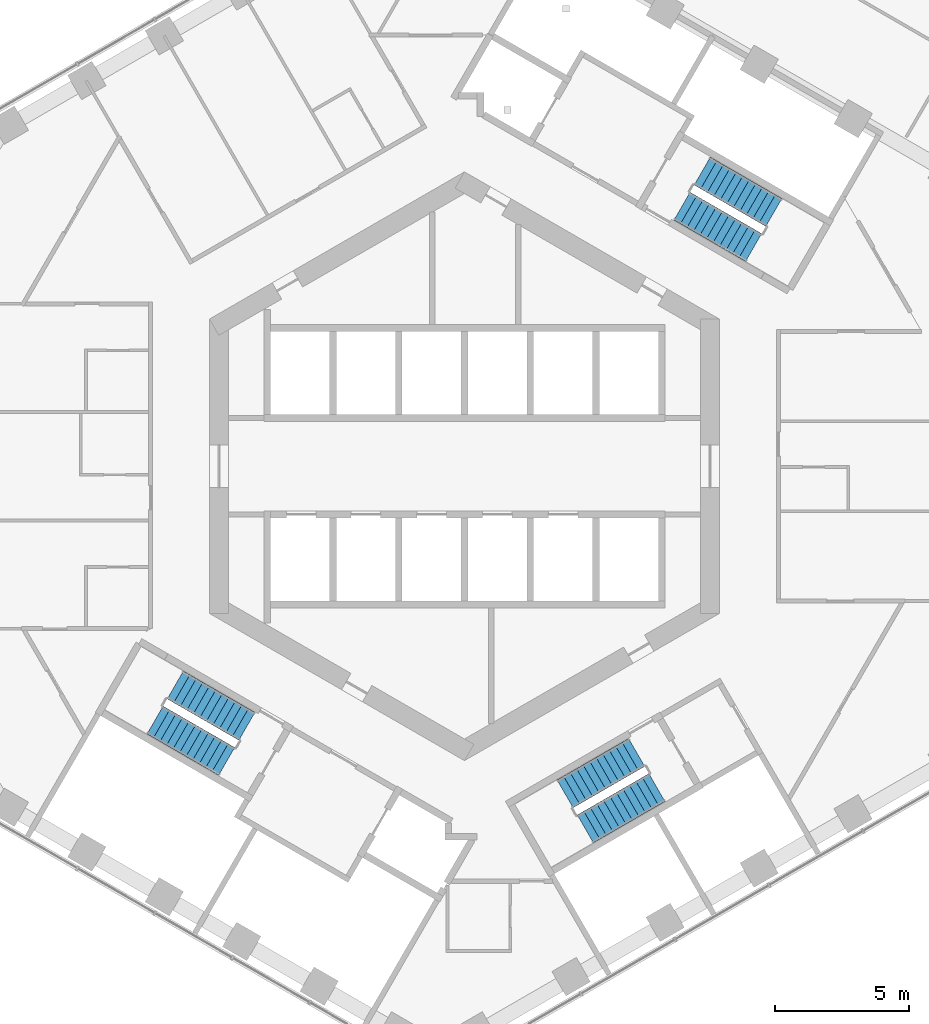
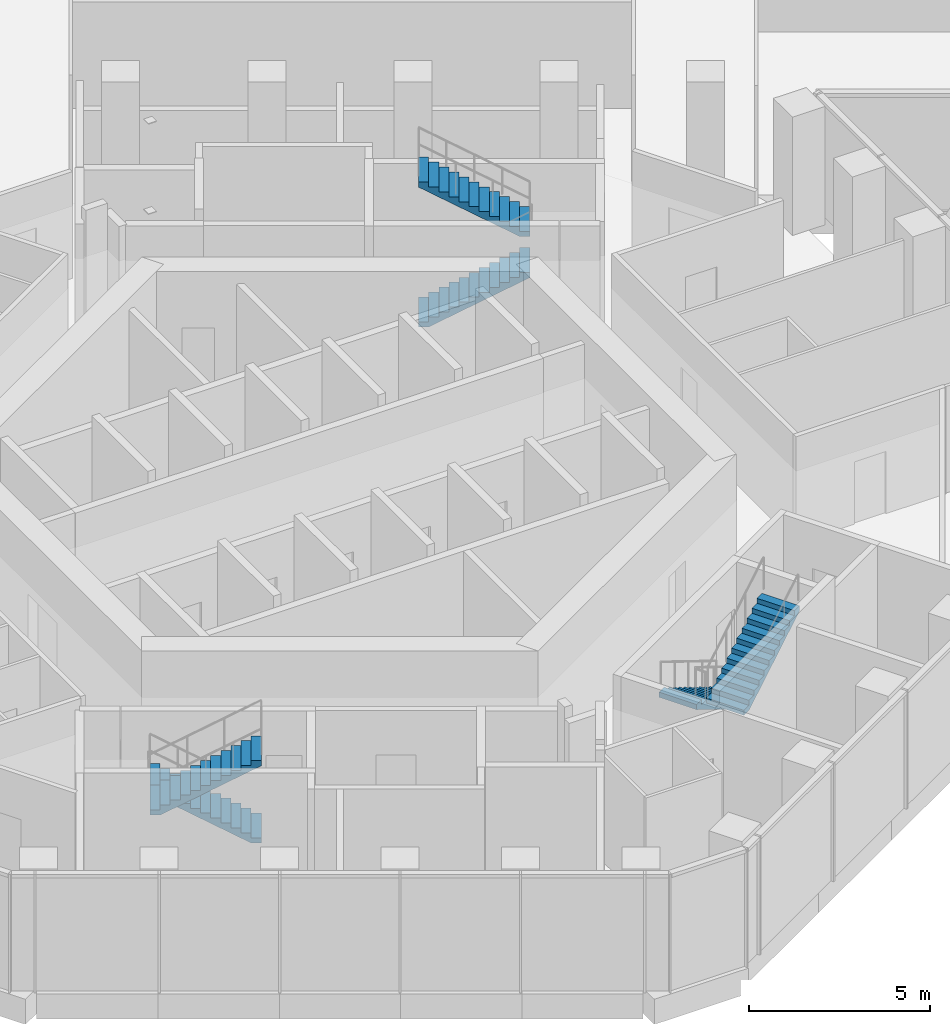
# One storey, part 23 of 25: 6 stair flights, 3 elements without a shape of their own.
"""IFC4 building model written with IfcOpenShell, lengths in metres."""

from ifc_helpers import new_model, si_unit, direction, frame, origin, place, context, subcontext, project, spatial, triangles, material, type_object, element, aggregate, save


model = new_model("IFC4")

# Units and contexts
model_context = context("Model", 3, precision=1e-05, world=origin(), true_north=direction((0.0, 1.0)))
body_context = subcontext(model_context, "Body", "Model", "MODEL_VIEW")
ifc_project = project(units=[si_unit("LENGTHUNIT", "METRE"), si_unit("AREAUNIT", "SQUARE_METRE"), si_unit("VOLUMEUNIT", "CUBIC_METRE"), si_unit("PLANEANGLEUNIT", "RADIAN"), si_unit("MASSUNIT", "GRAM", prefix="KILO")], contexts=[model_context])

# Site, building, storey
site_placement = place(None, origin())
site = spatial("IfcSite", under=ifc_project, at=site_placement, CompositionType="ELEMENT")
building_placement = place(site_placement, origin())
building = spatial("IfcBuilding", under=site, at=building_placement, Name="Ayvan Gate Tower", CompositionType="ELEMENT")
storey_placement = place(building_placement, frame((0.0, 0.0, 139.89990234375)))
storey = spatial("IfcBuildingStorey", under=building, at=storey_placement, Name="L37", CompositionType="ELEMENT", Elevation=139.89990234375)

# Stair, stair flights
ifc_material = material(Name="Concrete C40/50", Category="concrete")
stair_type = type_object("IfcStairType", Name="ST-EXIT", PredefinedType="HALF_TURN_STAIR", material=ifc_material)
stair_1_placement = place(storey_placement, origin())
stair_1 = element("IfcStair", 1, at=stair_1_placement, inside=storey, type_object=stair_type, Name="L37 Exit Stair S1", PredefinedType="HALF_TURN_STAIR")
stair_flight_type = type_object("IfcStairFlightType", Name="SFL-EXIT", PredefinedType="STRAIGHT", material=ifc_material)
stair_flight_1_placement = place(storey_placement, frame((8.106201171875, 9.690185546875, 0.0), z_axis=(0.0, 0.0, 1.0), x_axis=(0.866025403784, -0.5, 0.0)))
stair_flight_1 = element("IfcStairFlight", 2, at=stair_flight_1_placement, type_object=stair_flight_type, Name="STS1 flight 1", NumberOfRisers=12, NumberOfTreads=11, PredefinedType="STRAIGHT", RiserHeight=0.166666667, TreadLength=0.28, context=body_context, shape_type="Tessellation", body=[
    triangles([(0.293073, -0.599976, 0.0), (3.0805, -0.599976, 1.659182), (3.0805, -0.599976, 1.833333), (2.8, -0.599976, 1.833333), (2.8, -0.599976, 1.666667), (2.52, -0.599976, 1.666667), (2.52, -0.599976, 1.5), (2.24, -0.599976, 1.5), (2.24, -0.599976, 1.333333), (1.96, -0.599976, 1.333333), (1.96, -0.599976, 1.166667), (1.68, -0.599976, 1.166667), (1.68, -0.599976, 1.0), (1.4, -0.599976, 1.0), (1.4, -0.599976, 0.833333), (1.12, -0.599976, 0.833333), (1.12, -0.599976, 0.666667), (0.84, -0.599976, 0.666667), (0.84, -0.599976, 0.5), (0.56, -0.599976, 0.5), (0.56, -0.599976, 0.333333), (0.28, -0.599976, 0.333333), (0.28, -0.599976, 0.166667), (-0.0005, -0.599976, 0.166667), (-0.0005, -0.599976, 0.0), (0.293073, 0.0, 0.0), (3.0805, 0.0, 1.659182), (3.0805, 0.0, 1.833333), (2.8, 0.0, 1.833333), (2.8, 0.0, 1.666667), (2.52, 0.0, 1.666667), (2.52, 0.0, 1.5), (2.24, 0.0, 1.5), (2.24, 0.0, 1.333333), (1.96, 0.0, 1.333333), (1.96, 0.0, 1.166667), (1.68, 0.0, 1.166667), (1.68, 0.0, 1.0), (1.4, 0.0, 1.0), (1.4, 0.0, 0.833333), (1.12, 0.0, 0.833333), (1.12, 0.0, 0.666667), (0.84, 0.0, 0.666667), (0.84, 0.0, 0.5), (0.56, 0.0, 0.5), (0.56, 0.0, 0.333333), (0.28, 0.0, 0.333333), (0.28, 0.0, 0.166667), (-0.0005, 0.0, 0.166667), (-0.0005, 0.0, 0.0), (0.293073, 0.599976, 0.0), (3.0805, 0.599976, 1.659182), (3.0805, 0.599976, 1.833333), (2.8, 0.599976, 1.833333), (2.8, 0.599976, 1.666667), (2.52, 0.599976, 1.666667), (2.52, 0.599976, 1.5), (2.24, 0.599976, 1.5), (2.24, 0.599976, 1.333333), (1.96, 0.599976, 1.333333), (1.96, 0.599976, 1.166667), (1.68, 0.599976, 1.166667), (1.68, 0.599976, 1.0), (1.4, 0.599976, 1.0), (1.4, 0.599976, 0.833333), (1.12, 0.599976, 0.833333), (1.12, 0.599976, 0.666667), (0.84, 0.599976, 0.666667), (0.84, 0.599976, 0.5), (0.56, 0.599976, 0.5), (0.56, 0.599976, 0.333333), (0.28, 0.599976, 0.333333), (0.28, 0.599976, 0.166667), (-0.0005, 0.599976, 0.166667), (-0.0005, 0.599976, 0.0)], [[25, 1, 2], [75, 52, 51], [2, 3, 4], [52, 54, 53], [2, 4, 5], [52, 55, 54], [2, 5, 6], [52, 56, 55], [2, 6, 7], [52, 57, 56], [7, 8, 9], [57, 59, 58], [2, 7, 9], [52, 59, 57], [9, 10, 11], [59, 61, 60], [2, 9, 11], [52, 61, 59], [11, 12, 13], [61, 63, 62], [2, 11, 13], [52, 63, 61], [13, 14, 15], [63, 65, 64], [2, 13, 15], [52, 65, 63], [15, 16, 17], [65, 67, 66], [2, 15, 17], [52, 67, 65], [17, 18, 19], [67, 69, 68], [2, 17, 19], [52, 69, 67], [19, 20, 21], [69, 71, 70], [2, 19, 21], [52, 71, 69], [21, 22, 23], [71, 73, 72], [2, 21, 23], [52, 73, 71], [25, 2, 23], [75, 73, 52], [23, 24, 25], [73, 75, 74], [1, 26, 27], [1, 27, 2], [51, 27, 26], [51, 52, 27], [2, 27, 28], [2, 28, 3], [52, 28, 27], [52, 53, 28], [3, 28, 29], [3, 29, 4], [53, 29, 28], [53, 54, 29], [4, 29, 30], [4, 30, 5], [54, 30, 29], [54, 55, 30], [5, 30, 31], [5, 31, 6], [55, 31, 30], [55, 56, 31], [6, 31, 32], [6, 32, 7], [56, 32, 31], [56, 57, 32], [7, 32, 33], [7, 33, 8], [57, 33, 32], [57, 58, 33], [8, 33, 34], [8, 34, 9], [58, 34, 33], [58, 59, 34], [9, 34, 35], [9, 35, 10], [59, 35, 34], [59, 60, 35], [10, 35, 36], [10, 36, 11], [60, 36, 35], [60, 61, 36], [11, 36, 37], [11, 37, 12], [61, 37, 36], [61, 62, 37], [12, 37, 38], [12, 38, 13], [62, 38, 37], [62, 63, 38], [13, 38, 39], [13, 39, 14], [63, 39, 38], [63, 64, 39], [14, 39, 40], [14, 40, 15], [64, 40, 39], [64, 65, 40], [15, 40, 41], [15, 41, 16], [65, 41, 40], [65, 66, 41], [16, 41, 42], [16, 42, 17], [66, 42, 41], [66, 67, 42], [17, 42, 43], [17, 43, 18], [67, 43, 42], [67, 68, 43], [18, 43, 44], [18, 44, 19], [68, 44, 43], [68, 69, 44], [19, 44, 45], [19, 45, 20], [69, 45, 44], [69, 70, 45], [20, 45, 46], [20, 46, 21], [70, 46, 45], [70, 71, 46], [21, 46, 47], [21, 47, 22], [71, 47, 46], [71, 72, 47], [22, 47, 48], [22, 48, 23], [72, 48, 47], [72, 73, 48], [23, 48, 49], [23, 49, 24], [73, 49, 48], [73, 74, 49], [24, 49, 50], [24, 50, 25], [74, 50, 49], [74, 75, 50], [25, 50, 26], [25, 26, 1], [75, 26, 50], [75, 51, 26]], closed=True),
])
stair_flight_2_placement = place(storey_placement, frame((11.528564453125, 9.457763671875, 2.0), z_axis=(0.0, 0.0, 1.0), x_axis=(-0.866025403784, 0.5, 0.0)))
stair_flight_2 = element("IfcStairFlight", 3, at=stair_flight_2_placement, type_object=stair_flight_type, Name="STS1 flight 2", NumberOfRisers=12, NumberOfTreads=11, PredefinedType="STRAIGHT", RiserHeight=0.166666667, TreadLength=0.28, context=body_context, shape_type="Tessellation", body=[
    triangles([(0.293073, -0.599976, 0.0), (3.0805, -0.599976, 1.659182), (3.0805, -0.599976, 1.833333), (2.8, -0.599976, 1.833333), (2.8, -0.599976, 1.666667), (2.52, -0.599976, 1.666667), (2.52, -0.599976, 1.5), (2.24, -0.599976, 1.5), (2.24, -0.599976, 1.333333), (1.96, -0.599976, 1.333333), (1.96, -0.599976, 1.166667), (1.68, -0.599976, 1.166667), (1.68, -0.599976, 1.0), (1.4, -0.599976, 1.0), (1.4, -0.599976, 0.833333), (1.12, -0.599976, 0.833333), (1.12, -0.599976, 0.666667), (0.84, -0.599976, 0.666667), (0.84, -0.599976, 0.5), (0.56, -0.599976, 0.5), (0.56, -0.599976, 0.333333), (0.28, -0.599976, 0.333333), (0.28, -0.599976, 0.166667), (-0.0005, -0.599976, 0.166667), (-0.0005, -0.599976, 0.0), (0.293073, 0.0, 0.0), (3.0805, 0.0, 1.659182), (3.0805, 0.0, 1.833333), (2.8, 0.0, 1.833333), (2.8, 0.0, 1.666667), (2.52, 0.0, 1.666667), (2.52, 0.0, 1.5), (2.24, 0.0, 1.5), (2.24, 0.0, 1.333333), (1.96, 0.0, 1.333333), (1.96, 0.0, 1.166667), (1.68, 0.0, 1.166667), (1.68, 0.0, 1.0), (1.4, 0.0, 1.0), (1.4, 0.0, 0.833333), (1.12, 0.0, 0.833333), (1.12, 0.0, 0.666667), (0.84, 0.0, 0.666667), (0.84, 0.0, 0.5), (0.56, 0.0, 0.5), (0.56, 0.0, 0.333333), (0.28, 0.0, 0.333333), (0.28, 0.0, 0.166667), (-0.0005, 0.0, 0.166667), (-0.0005, 0.0, 0.0), (0.293073, 0.599976, 0.0), (3.0805, 0.599976, 1.659182), (3.0805, 0.599976, 1.833333), (2.8, 0.599976, 1.833333), (2.8, 0.599976, 1.666667), (2.52, 0.599976, 1.666667), (2.52, 0.599976, 1.5), (2.24, 0.599976, 1.5), (2.24, 0.599976, 1.333333), (1.96, 0.599976, 1.333333), (1.96, 0.599976, 1.166667), (1.68, 0.599976, 1.166667), (1.68, 0.599976, 1.0), (1.4, 0.599976, 1.0), (1.4, 0.599976, 0.833333), (1.12, 0.599976, 0.833333), (1.12, 0.599976, 0.666667), (0.84, 0.599976, 0.666667), (0.84, 0.599976, 0.5), (0.56, 0.599976, 0.5), (0.56, 0.599976, 0.333333), (0.28, 0.599976, 0.333333), (0.28, 0.599976, 0.166667), (-0.0005, 0.599976, 0.166667), (-0.0005, 0.599976, 0.0)], [[25, 1, 2], [75, 52, 51], [2, 3, 4], [52, 54, 53], [2, 4, 5], [52, 55, 54], [2, 5, 6], [52, 56, 55], [2, 6, 7], [52, 57, 56], [7, 8, 9], [57, 59, 58], [2, 7, 9], [52, 59, 57], [9, 10, 11], [59, 61, 60], [2, 9, 11], [52, 61, 59], [11, 12, 13], [61, 63, 62], [2, 11, 13], [52, 63, 61], [13, 14, 15], [63, 65, 64], [2, 13, 15], [52, 65, 63], [15, 16, 17], [65, 67, 66], [2, 15, 17], [52, 67, 65], [17, 18, 19], [67, 69, 68], [2, 17, 19], [52, 69, 67], [19, 20, 21], [69, 71, 70], [2, 19, 21], [52, 71, 69], [21, 22, 23], [71, 73, 72], [2, 21, 23], [52, 73, 71], [25, 2, 23], [75, 73, 52], [23, 24, 25], [73, 75, 74], [1, 26, 27], [1, 27, 2], [51, 27, 26], [51, 52, 27], [2, 27, 28], [2, 28, 3], [52, 28, 27], [52, 53, 28], [3, 28, 29], [3, 29, 4], [53, 29, 28], [53, 54, 29], [4, 29, 30], [4, 30, 5], [54, 30, 29], [54, 55, 30], [5, 30, 31], [5, 31, 6], [55, 31, 30], [55, 56, 31], [6, 31, 32], [6, 32, 7], [56, 32, 31], [56, 57, 32], [7, 32, 33], [7, 33, 8], [57, 33, 32], [57, 58, 33], [8, 33, 34], [8, 34, 9], [58, 34, 33], [58, 59, 34], [9, 34, 35], [9, 35, 10], [59, 35, 34], [59, 60, 35], [10, 35, 36], [10, 36, 11], [60, 36, 35], [60, 61, 36], [11, 36, 37], [11, 37, 12], [61, 37, 36], [61, 62, 37], [12, 37, 38], [12, 38, 13], [62, 38, 37], [62, 63, 38], [13, 38, 39], [13, 39, 14], [63, 39, 38], [63, 64, 39], [14, 39, 40], [14, 40, 15], [64, 40, 39], [64, 65, 40], [15, 40, 41], [15, 41, 16], [65, 41, 40], [65, 66, 41], [16, 41, 42], [16, 42, 17], [66, 42, 41], [66, 67, 42], [17, 42, 43], [17, 43, 18], [67, 43, 42], [67, 68, 43], [18, 43, 44], [18, 44, 19], [68, 44, 43], [68, 69, 44], [19, 44, 45], [19, 45, 20], [69, 45, 44], [69, 70, 45], [20, 45, 46], [20, 46, 21], [70, 46, 45], [70, 71, 46], [21, 46, 47], [21, 47, 22], [71, 47, 46], [71, 72, 47], [22, 47, 48], [22, 48, 23], [72, 48, 47], [72, 73, 48], [23, 48, 49], [23, 49, 24], [73, 49, 48], [73, 74, 49], [24, 49, 50], [24, 50, 25], [74, 50, 49], [74, 75, 50], [25, 50, 26], [25, 26, 1], [75, 26, 50], [75, 51, 26]], closed=True),
])
aggregate(stair_1, [stair_flight_1, stair_flight_2])

stair_2_placement = place(storey_placement, origin())
stair_2 = element("IfcStair", 4, at=stair_2_placement, inside=storey, type_object=stair_type, Name="L37 Exit Stair S2", PredefinedType="HALF_TURN_STAIR")
stair_flight_3_placement = place(storey_placement, frame((-8.106201171875, -9.690185546875, 0.0), z_axis=(0.0, 0.0, 1.0), x_axis=(-0.866025403784, 0.5, 0.0)))
stair_flight_3 = element("IfcStairFlight", 5, at=stair_flight_3_placement, type_object=stair_flight_type, Name="STS2 flight 1", NumberOfRisers=12, NumberOfTreads=11, PredefinedType="STRAIGHT", RiserHeight=0.166666667, TreadLength=0.28, context=body_context, shape_type="Tessellation", body=[
    triangles([(0.293073, -0.599976, 0.0), (3.0805, -0.599976, 1.659182), (3.0805, -0.599976, 1.833333), (2.8, -0.599976, 1.833333), (2.8, -0.599976, 1.666667), (2.52, -0.599976, 1.666667), (2.52, -0.599976, 1.5), (2.24, -0.599976, 1.5), (2.24, -0.599976, 1.333333), (1.96, -0.599976, 1.333333), (1.96, -0.599976, 1.166667), (1.68, -0.599976, 1.166667), (1.68, -0.599976, 1.0), (1.4, -0.599976, 1.0), (1.4, -0.599976, 0.833333), (1.12, -0.599976, 0.833333), (1.12, -0.599976, 0.666667), (0.84, -0.599976, 0.666667), (0.84, -0.599976, 0.5), (0.56, -0.599976, 0.5), (0.56, -0.599976, 0.333333), (0.28, -0.599976, 0.333333), (0.28, -0.599976, 0.166667), (-0.0005, -0.599976, 0.166667), (-0.0005, -0.599976, 0.0), (0.293073, 0.0, 0.0), (3.0805, 0.0, 1.659182), (3.0805, 0.0, 1.833333), (2.8, 0.0, 1.833333), (2.8, 0.0, 1.666667), (2.52, 0.0, 1.666667), (2.52, 0.0, 1.5), (2.24, 0.0, 1.5), (2.24, 0.0, 1.333333), (1.96, 0.0, 1.333333), (1.96, 0.0, 1.166667), (1.68, 0.0, 1.166667), (1.68, 0.0, 1.0), (1.4, 0.0, 1.0), (1.4, 0.0, 0.833333), (1.12, 0.0, 0.833333), (1.12, 0.0, 0.666667), (0.84, 0.0, 0.666667), (0.84, 0.0, 0.5), (0.56, 0.0, 0.5), (0.56, 0.0, 0.333333), (0.28, 0.0, 0.333333), (0.28, 0.0, 0.166667), (-0.0005, 0.0, 0.166667), (-0.0005, 0.0, 0.0), (0.293073, 0.599976, 0.0), (3.0805, 0.599976, 1.659182), (3.0805, 0.599976, 1.833333), (2.8, 0.599976, 1.833333), (2.8, 0.599976, 1.666667), (2.52, 0.599976, 1.666667), (2.52, 0.599976, 1.5), (2.24, 0.599976, 1.5), (2.24, 0.599976, 1.333333), (1.96, 0.599976, 1.333333), (1.96, 0.599976, 1.166667), (1.68, 0.599976, 1.166667), (1.68, 0.599976, 1.0), (1.4, 0.599976, 1.0), (1.4, 0.599976, 0.833333), (1.12, 0.599976, 0.833333), (1.12, 0.599976, 0.666667), (0.84, 0.599976, 0.666667), (0.84, 0.599976, 0.5), (0.56, 0.599976, 0.5), (0.56, 0.599976, 0.333333), (0.28, 0.599976, 0.333333), (0.28, 0.599976, 0.166667), (-0.0005, 0.599976, 0.166667), (-0.0005, 0.599976, 0.0)], [[25, 1, 2], [75, 52, 51], [2, 3, 4], [52, 54, 53], [2, 4, 5], [52, 55, 54], [2, 5, 6], [52, 56, 55], [2, 6, 7], [52, 57, 56], [7, 8, 9], [57, 59, 58], [2, 7, 9], [52, 59, 57], [9, 10, 11], [59, 61, 60], [2, 9, 11], [52, 61, 59], [11, 12, 13], [61, 63, 62], [2, 11, 13], [52, 63, 61], [13, 14, 15], [63, 65, 64], [2, 13, 15], [52, 65, 63], [15, 16, 17], [65, 67, 66], [2, 15, 17], [52, 67, 65], [17, 18, 19], [67, 69, 68], [2, 17, 19], [52, 69, 67], [19, 20, 21], [69, 71, 70], [2, 19, 21], [52, 71, 69], [21, 22, 23], [71, 73, 72], [2, 21, 23], [52, 73, 71], [25, 2, 23], [75, 73, 52], [23, 24, 25], [73, 75, 74], [1, 26, 27], [1, 27, 2], [51, 27, 26], [51, 52, 27], [2, 27, 28], [2, 28, 3], [52, 28, 27], [52, 53, 28], [3, 28, 29], [3, 29, 4], [53, 29, 28], [53, 54, 29], [4, 29, 30], [4, 30, 5], [54, 30, 29], [54, 55, 30], [5, 30, 31], [5, 31, 6], [55, 31, 30], [55, 56, 31], [6, 31, 32], [6, 32, 7], [56, 32, 31], [56, 57, 32], [7, 32, 33], [7, 33, 8], [57, 33, 32], [57, 58, 33], [8, 33, 34], [8, 34, 9], [58, 34, 33], [58, 59, 34], [9, 34, 35], [9, 35, 10], [59, 35, 34], [59, 60, 35], [10, 35, 36], [10, 36, 11], [60, 36, 35], [60, 61, 36], [11, 36, 37], [11, 37, 12], [61, 37, 36], [61, 62, 37], [12, 37, 38], [12, 38, 13], [62, 38, 37], [62, 63, 38], [13, 38, 39], [13, 39, 14], [63, 39, 38], [63, 64, 39], [14, 39, 40], [14, 40, 15], [64, 40, 39], [64, 65, 40], [15, 40, 41], [15, 41, 16], [65, 41, 40], [65, 66, 41], [16, 41, 42], [16, 42, 17], [66, 42, 41], [66, 67, 42], [17, 42, 43], [17, 43, 18], [67, 43, 42], [67, 68, 43], [18, 43, 44], [18, 44, 19], [68, 44, 43], [68, 69, 44], [19, 44, 45], [19, 45, 20], [69, 45, 44], [69, 70, 45], [20, 45, 46], [20, 46, 21], [70, 46, 45], [70, 71, 46], [21, 46, 47], [21, 47, 22], [71, 47, 46], [71, 72, 47], [22, 47, 48], [22, 48, 23], [72, 48, 47], [72, 73, 48], [23, 48, 49], [23, 49, 24], [73, 49, 48], [73, 74, 49], [24, 49, 50], [24, 50, 25], [74, 50, 49], [74, 75, 50], [25, 50, 26], [25, 26, 1], [75, 26, 50], [75, 51, 26]], closed=True),
])
stair_flight_4_placement = place(storey_placement, frame((-11.528564453125, -9.457763671875, 2.0), z_axis=(0.0, 0.0, 1.0), x_axis=(0.866025403784, -0.5, 0.0)))
stair_flight_4 = element("IfcStairFlight", 6, at=stair_flight_4_placement, type_object=stair_flight_type, Name="STS2 flight 2", NumberOfRisers=12, NumberOfTreads=11, PredefinedType="STRAIGHT", RiserHeight=0.166666667, TreadLength=0.28, context=body_context, shape_type="Tessellation", body=[
    triangles([(0.293073, -0.599976, 0.0), (3.0805, -0.599976, 1.659182), (3.0805, -0.599976, 1.833333), (2.8, -0.599976, 1.833333), (2.8, -0.599976, 1.666667), (2.52, -0.599976, 1.666667), (2.52, -0.599976, 1.5), (2.24, -0.599976, 1.5), (2.24, -0.599976, 1.333333), (1.96, -0.599976, 1.333333), (1.96, -0.599976, 1.166667), (1.68, -0.599976, 1.166667), (1.68, -0.599976, 1.0), (1.4, -0.599976, 1.0), (1.4, -0.599976, 0.833333), (1.12, -0.599976, 0.833333), (1.12, -0.599976, 0.666667), (0.84, -0.599976, 0.666667), (0.84, -0.599976, 0.5), (0.56, -0.599976, 0.5), (0.56, -0.599976, 0.333333), (0.28, -0.599976, 0.333333), (0.28, -0.599976, 0.166667), (-0.0005, -0.599976, 0.166667), (-0.0005, -0.599976, 0.0), (0.293073, 0.0, 0.0), (3.0805, 0.0, 1.659182), (3.0805, 0.0, 1.833333), (2.8, 0.0, 1.833333), (2.8, 0.0, 1.666667), (2.52, 0.0, 1.666667), (2.52, 0.0, 1.5), (2.24, 0.0, 1.5), (2.24, 0.0, 1.333333), (1.96, 0.0, 1.333333), (1.96, 0.0, 1.166667), (1.68, 0.0, 1.166667), (1.68, 0.0, 1.0), (1.4, 0.0, 1.0), (1.4, 0.0, 0.833333), (1.12, 0.0, 0.833333), (1.12, 0.0, 0.666667), (0.84, 0.0, 0.666667), (0.84, 0.0, 0.5), (0.56, 0.0, 0.5), (0.56, 0.0, 0.333333), (0.28, 0.0, 0.333333), (0.28, 0.0, 0.166667), (-0.0005, 0.0, 0.166667), (-0.0005, 0.0, 0.0), (0.293073, 0.599976, 0.0), (3.0805, 0.599976, 1.659182), (3.0805, 0.599976, 1.833333), (2.8, 0.599976, 1.833333), (2.8, 0.599976, 1.666667), (2.52, 0.599976, 1.666667), (2.52, 0.599976, 1.5), (2.24, 0.599976, 1.5), (2.24, 0.599976, 1.333333), (1.96, 0.599976, 1.333333), (1.96, 0.599976, 1.166667), (1.68, 0.599976, 1.166667), (1.68, 0.599976, 1.0), (1.4, 0.599976, 1.0), (1.4, 0.599976, 0.833333), (1.12, 0.599976, 0.833333), (1.12, 0.599976, 0.666667), (0.84, 0.599976, 0.666667), (0.84, 0.599976, 0.5), (0.56, 0.599976, 0.5), (0.56, 0.599976, 0.333333), (0.28, 0.599976, 0.333333), (0.28, 0.599976, 0.166667), (-0.0005, 0.599976, 0.166667), (-0.0005, 0.599976, 0.0)], [[25, 1, 2], [75, 52, 51], [2, 3, 4], [52, 54, 53], [2, 4, 5], [52, 55, 54], [2, 5, 6], [52, 56, 55], [2, 6, 7], [52, 57, 56], [7, 8, 9], [57, 59, 58], [2, 7, 9], [52, 59, 57], [9, 10, 11], [59, 61, 60], [2, 9, 11], [52, 61, 59], [11, 12, 13], [61, 63, 62], [2, 11, 13], [52, 63, 61], [13, 14, 15], [63, 65, 64], [2, 13, 15], [52, 65, 63], [15, 16, 17], [65, 67, 66], [2, 15, 17], [52, 67, 65], [17, 18, 19], [67, 69, 68], [2, 17, 19], [52, 69, 67], [19, 20, 21], [69, 71, 70], [2, 19, 21], [52, 71, 69], [21, 22, 23], [71, 73, 72], [2, 21, 23], [52, 73, 71], [25, 2, 23], [75, 73, 52], [23, 24, 25], [73, 75, 74], [1, 26, 27], [1, 27, 2], [51, 27, 26], [51, 52, 27], [2, 27, 28], [2, 28, 3], [52, 28, 27], [52, 53, 28], [3, 28, 29], [3, 29, 4], [53, 29, 28], [53, 54, 29], [4, 29, 30], [4, 30, 5], [54, 30, 29], [54, 55, 30], [5, 30, 31], [5, 31, 6], [55, 31, 30], [55, 56, 31], [6, 31, 32], [6, 32, 7], [56, 32, 31], [56, 57, 32], [7, 32, 33], [7, 33, 8], [57, 33, 32], [57, 58, 33], [8, 33, 34], [8, 34, 9], [58, 34, 33], [58, 59, 34], [9, 34, 35], [9, 35, 10], [59, 35, 34], [59, 60, 35], [10, 35, 36], [10, 36, 11], [60, 36, 35], [60, 61, 36], [11, 36, 37], [11, 37, 12], [61, 37, 36], [61, 62, 37], [12, 37, 38], [12, 38, 13], [62, 38, 37], [62, 63, 38], [13, 38, 39], [13, 39, 14], [63, 39, 38], [63, 64, 39], [14, 39, 40], [14, 40, 15], [64, 40, 39], [64, 65, 40], [15, 40, 41], [15, 41, 16], [65, 41, 40], [65, 66, 41], [16, 41, 42], [16, 42, 17], [66, 42, 41], [66, 67, 42], [17, 42, 43], [17, 43, 18], [67, 43, 42], [67, 68, 43], [18, 43, 44], [18, 44, 19], [68, 44, 43], [68, 69, 44], [19, 44, 45], [19, 45, 20], [69, 45, 44], [69, 70, 45], [20, 45, 46], [20, 46, 21], [70, 46, 45], [70, 71, 46], [21, 46, 47], [21, 47, 22], [71, 47, 46], [71, 72, 47], [22, 47, 48], [22, 48, 23], [72, 48, 47], [72, 73, 48], [23, 48, 49], [23, 49, 24], [73, 49, 48], [73, 74, 49], [24, 49, 50], [24, 50, 25], [74, 50, 49], [74, 75, 50], [25, 50, 26], [25, 26, 1], [75, 26, 50], [75, 51, 26]], closed=True),
])
aggregate(stair_2, [stair_flight_3, stair_flight_4])

stair_3_placement = place(storey_placement, origin())
stair_3 = element("IfcStair", 7, at=stair_3_placement, inside=storey, type_object=stair_type, Name="L37 Exit Stair S3", PredefinedType="HALF_TURN_STAIR")
stair_flight_5_placement = place(storey_placement, frame((6.417236328125, -10.665283203125, 0.0), z_axis=(0.0, 0.0, 1.0), x_axis=(-0.866025403784, -0.5, 0.0)))
stair_flight_5 = element("IfcStairFlight", 8, at=stair_flight_5_placement, type_object=stair_flight_type, Name="STS3 flight 1", NumberOfRisers=12, NumberOfTreads=11, PredefinedType="STRAIGHT", RiserHeight=0.166666667, TreadLength=0.28, context=body_context, shape_type="Tessellation", body=[
    triangles([(0.293073, -0.599976, 0.0), (3.0805, -0.599976, 1.659182), (3.0805, -0.599976, 1.833333), (2.8, -0.599976, 1.833333), (2.8, -0.599976, 1.666667), (2.52, -0.599976, 1.666667), (2.52, -0.599976, 1.5), (2.24, -0.599976, 1.5), (2.24, -0.599976, 1.333333), (1.96, -0.599976, 1.333333), (1.96, -0.599976, 1.166667), (1.68, -0.599976, 1.166667), (1.68, -0.599976, 1.0), (1.4, -0.599976, 1.0), (1.4, -0.599976, 0.833333), (1.12, -0.599976, 0.833333), (1.12, -0.599976, 0.666667), (0.84, -0.599976, 0.666667), (0.84, -0.599976, 0.5), (0.56, -0.599976, 0.5), (0.56, -0.599976, 0.333333), (0.28, -0.599976, 0.333333), (0.28, -0.599976, 0.166667), (-0.0005, -0.599976, 0.166667), (-0.0005, -0.599976, 0.0), (0.293073, 0.0, 0.0), (3.0805, 0.0, 1.659182), (3.0805, 0.0, 1.833333), (2.8, 0.0, 1.833333), (2.8, 0.0, 1.666667), (2.52, 0.0, 1.666667), (2.52, 0.0, 1.5), (2.24, 0.0, 1.5), (2.24, 0.0, 1.333333), (1.96, 0.0, 1.333333), (1.96, 0.0, 1.166667), (1.68, 0.0, 1.166667), (1.68, 0.0, 1.0), (1.4, 0.0, 1.0), (1.4, 0.0, 0.833333), (1.12, 0.0, 0.833333), (1.12, 0.0, 0.666667), (0.84, 0.0, 0.666667), (0.84, 0.0, 0.5), (0.56, 0.0, 0.5), (0.56, 0.0, 0.333333), (0.28, 0.0, 0.333333), (0.28, 0.0, 0.166667), (-0.0005, 0.0, 0.166667), (-0.0005, 0.0, 0.0), (0.293073, 0.599976, 0.0), (3.0805, 0.599976, 1.659182), (3.0805, 0.599976, 1.833333), (2.8, 0.599976, 1.833333), (2.8, 0.599976, 1.666667), (2.52, 0.599976, 1.666667), (2.52, 0.599976, 1.5), (2.24, 0.599976, 1.5), (2.24, 0.599976, 1.333333), (1.96, 0.599976, 1.333333), (1.96, 0.599976, 1.166667), (1.68, 0.599976, 1.166667), (1.68, 0.599976, 1.0), (1.4, 0.599976, 1.0), (1.4, 0.599976, 0.833333), (1.12, 0.599976, 0.833333), (1.12, 0.599976, 0.666667), (0.84, 0.599976, 0.666667), (0.84, 0.599976, 0.5), (0.56, 0.599976, 0.5), (0.56, 0.599976, 0.333333), (0.28, 0.599976, 0.333333), (0.28, 0.599976, 0.166667), (-0.0005, 0.599976, 0.166667), (-0.0005, 0.599976, 0.0)], [[25, 1, 2], [75, 52, 51], [2, 3, 4], [52, 54, 53], [2, 4, 5], [52, 55, 54], [2, 5, 6], [52, 56, 55], [2, 6, 7], [52, 57, 56], [7, 8, 9], [57, 59, 58], [2, 7, 9], [52, 59, 57], [9, 10, 11], [59, 61, 60], [2, 9, 11], [52, 61, 59], [11, 12, 13], [61, 63, 62], [2, 11, 13], [52, 63, 61], [13, 14, 15], [63, 65, 64], [2, 13, 15], [52, 65, 63], [15, 16, 17], [65, 67, 66], [2, 15, 17], [52, 67, 65], [17, 18, 19], [67, 69, 68], [2, 17, 19], [52, 69, 67], [19, 20, 21], [69, 71, 70], [2, 19, 21], [52, 71, 69], [21, 22, 23], [71, 73, 72], [2, 21, 23], [52, 73, 71], [25, 2, 23], [75, 73, 52], [23, 24, 25], [73, 75, 74], [1, 26, 27], [1, 27, 2], [51, 27, 26], [51, 52, 27], [2, 27, 28], [2, 28, 3], [52, 28, 27], [52, 53, 28], [3, 28, 29], [3, 29, 4], [53, 29, 28], [53, 54, 29], [4, 29, 30], [4, 30, 5], [54, 30, 29], [54, 55, 30], [5, 30, 31], [5, 31, 6], [55, 31, 30], [55, 56, 31], [6, 31, 32], [6, 32, 7], [56, 32, 31], [56, 57, 32], [7, 32, 33], [7, 33, 8], [57, 33, 32], [57, 58, 33], [8, 33, 34], [8, 34, 9], [58, 34, 33], [58, 59, 34], [9, 34, 35], [9, 35, 10], [59, 35, 34], [59, 60, 35], [10, 35, 36], [10, 36, 11], [60, 36, 35], [60, 61, 36], [11, 36, 37], [11, 37, 12], [61, 37, 36], [61, 62, 37], [12, 37, 38], [12, 38, 13], [62, 38, 37], [62, 63, 38], [13, 38, 39], [13, 39, 14], [63, 39, 38], [63, 64, 39], [14, 39, 40], [14, 40, 15], [64, 40, 39], [64, 65, 40], [15, 40, 41], [15, 41, 16], [65, 41, 40], [65, 66, 41], [16, 41, 42], [16, 42, 17], [66, 42, 41], [66, 67, 42], [17, 42, 43], [17, 43, 18], [67, 43, 42], [67, 68, 43], [18, 43, 44], [18, 44, 19], [68, 44, 43], [68, 69, 44], [19, 44, 45], [19, 45, 20], [69, 45, 44], [69, 70, 45], [20, 45, 46], [20, 46, 21], [70, 46, 45], [70, 71, 46], [21, 46, 47], [21, 47, 22], [71, 47, 46], [71, 72, 47], [22, 47, 48], [22, 48, 23], [72, 48, 47], [72, 73, 48], [23, 48, 49], [23, 49, 24], [73, 49, 48], [73, 74, 49], [24, 49, 50], [24, 50, 25], [74, 50, 49], [74, 75, 50], [25, 50, 26], [25, 26, 1], [75, 26, 50], [75, 51, 26]], closed=True),
])
stair_flight_6_placement = place(storey_placement, frame((4.5048828125, -13.512939453125, 2.0), z_axis=(0.0, 0.0, 1.0), x_axis=(0.866025403784, 0.5, 0.0)))
stair_flight_6 = element("IfcStairFlight", 9, at=stair_flight_6_placement, type_object=stair_flight_type, Name="STS3 flight 2", NumberOfRisers=12, NumberOfTreads=11, PredefinedType="STRAIGHT", RiserHeight=0.166666667, TreadLength=0.28, context=body_context, shape_type="Tessellation", body=[
    triangles([(0.293073, -0.599976, 0.0), (3.0805, -0.599976, 1.659182), (3.0805, -0.599976, 1.833333), (2.8, -0.599976, 1.833333), (2.8, -0.599976, 1.666667), (2.52, -0.599976, 1.666667), (2.52, -0.599976, 1.5), (2.24, -0.599976, 1.5), (2.24, -0.599976, 1.333333), (1.96, -0.599976, 1.333333), (1.96, -0.599976, 1.166667), (1.68, -0.599976, 1.166667), (1.68, -0.599976, 1.0), (1.4, -0.599976, 1.0), (1.4, -0.599976, 0.833333), (1.12, -0.599976, 0.833333), (1.12, -0.599976, 0.666667), (0.84, -0.599976, 0.666667), (0.84, -0.599976, 0.5), (0.56, -0.599976, 0.5), (0.56, -0.599976, 0.333333), (0.28, -0.599976, 0.333333), (0.28, -0.599976, 0.166667), (-0.0005, -0.599976, 0.166667), (-0.0005, -0.599976, 0.0), (0.293073, 0.0, 0.0), (3.0805, 0.0, 1.659182), (3.0805, 0.0, 1.833333), (2.8, 0.0, 1.833333), (2.8, 0.0, 1.666667), (2.52, 0.0, 1.666667), (2.52, 0.0, 1.5), (2.24, 0.0, 1.5), (2.24, 0.0, 1.333333), (1.96, 0.0, 1.333333), (1.96, 0.0, 1.166667), (1.68, 0.0, 1.166667), (1.68, 0.0, 1.0), (1.4, 0.0, 1.0), (1.4, 0.0, 0.833333), (1.12, 0.0, 0.833333), (1.12, 0.0, 0.666667), (0.84, 0.0, 0.666667), (0.84, 0.0, 0.5), (0.56, 0.0, 0.5), (0.56, 0.0, 0.333333), (0.28, 0.0, 0.333333), (0.28, 0.0, 0.166667), (-0.0005, 0.0, 0.166667), (-0.0005, 0.0, 0.0), (0.293073, 0.599976, 0.0), (3.0805, 0.599976, 1.659182), (3.0805, 0.599976, 1.833333), (2.8, 0.599976, 1.833333), (2.8, 0.599976, 1.666667), (2.52, 0.599976, 1.666667), (2.52, 0.599976, 1.5), (2.24, 0.599976, 1.5), (2.24, 0.599976, 1.333333), (1.96, 0.599976, 1.333333), (1.96, 0.599976, 1.166667), (1.68, 0.599976, 1.166667), (1.68, 0.599976, 1.0), (1.4, 0.599976, 1.0), (1.4, 0.599976, 0.833333), (1.12, 0.599976, 0.833333), (1.12, 0.599976, 0.666667), (0.84, 0.599976, 0.666667), (0.84, 0.599976, 0.5), (0.56, 0.599976, 0.5), (0.56, 0.599976, 0.333333), (0.28, 0.599976, 0.333333), (0.28, 0.599976, 0.166667), (-0.0005, 0.599976, 0.166667), (-0.0005, 0.599976, 0.0)], [[25, 1, 2], [75, 52, 51], [2, 3, 4], [52, 54, 53], [2, 4, 5], [52, 55, 54], [2, 5, 6], [52, 56, 55], [2, 6, 7], [52, 57, 56], [7, 8, 9], [57, 59, 58], [2, 7, 9], [52, 59, 57], [9, 10, 11], [59, 61, 60], [2, 9, 11], [52, 61, 59], [11, 12, 13], [61, 63, 62], [2, 11, 13], [52, 63, 61], [13, 14, 15], [63, 65, 64], [2, 13, 15], [52, 65, 63], [15, 16, 17], [65, 67, 66], [2, 15, 17], [52, 67, 65], [17, 18, 19], [67, 69, 68], [2, 17, 19], [52, 69, 67], [19, 20, 21], [69, 71, 70], [2, 19, 21], [52, 71, 69], [21, 22, 23], [71, 73, 72], [2, 21, 23], [52, 73, 71], [25, 2, 23], [75, 73, 52], [23, 24, 25], [73, 75, 74], [1, 26, 27], [1, 27, 2], [51, 27, 26], [51, 52, 27], [2, 27, 28], [2, 28, 3], [52, 28, 27], [52, 53, 28], [3, 28, 29], [3, 29, 4], [53, 29, 28], [53, 54, 29], [4, 29, 30], [4, 30, 5], [54, 30, 29], [54, 55, 30], [5, 30, 31], [5, 31, 6], [55, 31, 30], [55, 56, 31], [6, 31, 32], [6, 32, 7], [56, 32, 31], [56, 57, 32], [7, 32, 33], [7, 33, 8], [57, 33, 32], [57, 58, 33], [8, 33, 34], [8, 34, 9], [58, 34, 33], [58, 59, 34], [9, 34, 35], [9, 35, 10], [59, 35, 34], [59, 60, 35], [10, 35, 36], [10, 36, 11], [60, 36, 35], [60, 61, 36], [11, 36, 37], [11, 37, 12], [61, 37, 36], [61, 62, 37], [12, 37, 38], [12, 38, 13], [62, 38, 37], [62, 63, 38], [13, 38, 39], [13, 39, 14], [63, 39, 38], [63, 64, 39], [14, 39, 40], [14, 40, 15], [64, 40, 39], [64, 65, 40], [15, 40, 41], [15, 41, 16], [65, 41, 40], [65, 66, 41], [16, 41, 42], [16, 42, 17], [66, 42, 41], [66, 67, 42], [17, 42, 43], [17, 43, 18], [67, 43, 42], [67, 68, 43], [18, 43, 44], [18, 44, 19], [68, 44, 43], [68, 69, 44], [19, 44, 45], [19, 45, 20], [69, 45, 44], [69, 70, 45], [20, 45, 46], [20, 46, 21], [70, 46, 45], [70, 71, 46], [21, 46, 47], [21, 47, 22], [71, 47, 46], [71, 72, 47], [22, 47, 48], [22, 48, 23], [72, 48, 47], [72, 73, 48], [23, 48, 49], [23, 49, 24], [73, 49, 48], [73, 74, 49], [24, 49, 50], [24, 50, 25], [74, 50, 49], [74, 75, 50], [25, 50, 26], [25, 26, 1], [75, 26, 50], [75, 51, 26]], closed=True),
])
aggregate(stair_3, [stair_flight_5, stair_flight_6])

save(model, "model.ifc")
